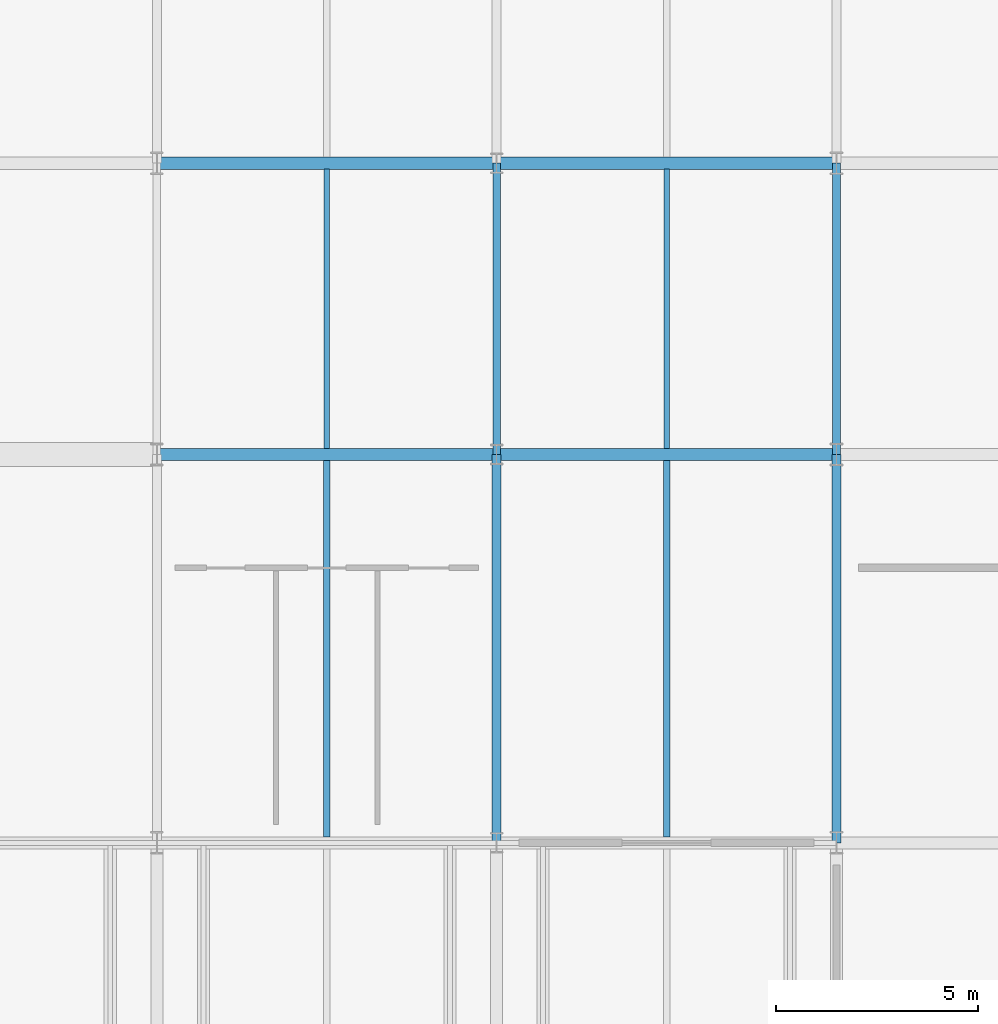
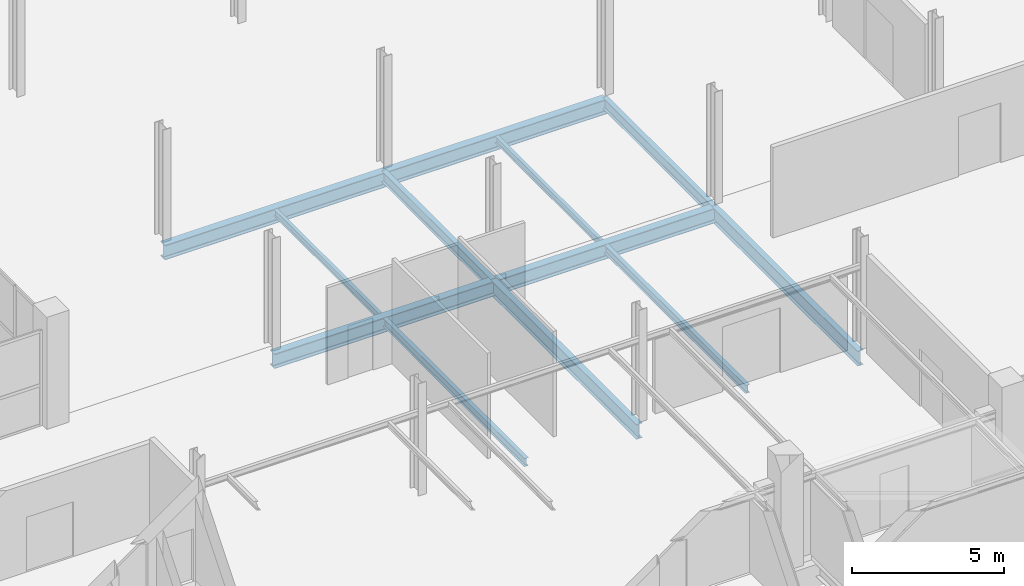
# One storey, part 28 of 109: 12 beams.
"""IFC4 building model written with IfcOpenShell, lengths in metres."""

from ifc_helpers import new_model, si_unit, direction, frame, origin, origin_2d, place, context, subcontext, project, spatial, i_section, extrude, material, material_profile, profile_set, type_object, element, save


model = new_model("IFC4")

# Units and contexts
model_context = context("Model", 3, precision=1e-05, world=origin(), true_north=direction((0.0, 1.0)))
body_context = subcontext(model_context, "Body", "Model", "MODEL_VIEW")
ifc_project = project(units=[si_unit("LENGTHUNIT", "METRE"), si_unit("AREAUNIT", "SQUARE_METRE"), si_unit("VOLUMEUNIT", "CUBIC_METRE"), si_unit("PLANEANGLEUNIT", "RADIAN"), si_unit("MASSUNIT", "GRAM", prefix="KILO")], contexts=[model_context])

# Site, building, storey
site_placement = place(None, origin())
site = spatial("IfcSite", under=ifc_project, at=site_placement, CompositionType="ELEMENT")
building_placement = place(site_placement, origin())
building = spatial("IfcBuilding", under=site, at=building_placement, Name="Veltarok Museum of Natural Sciences", CompositionType="ELEMENT")
storey_placement = place(building_placement, frame((0.0, 0.0, 17.39990234375)))
storey = spatial("IfcBuildingStorey", under=building, at=storey_placement, Name="L03", CompositionType="ELEMENT", Elevation=17.39990234375)

# Beams
ifc_material = material(Name="Steel S355J2", Category="steel")
ifc_material_profile_1 = material_profile(ifc_material, i_section(OverallWidth=0.300048828125, OverallDepth=0.590087890625, WebThickness=0.012939453125, FlangeThickness=0.02490234375, FilletRadius=0.027099609375, at=origin_2d()), Name="HEA 600")
ifc_profile_set_1 = profile_set([ifc_material_profile_1], Name="Steel S355J2")
beam_type_1 = type_object("IfcBeamType", Name="Heavy Archive Girder HEA 600", PredefinedType="BEAM", material=ifc_profile_set_1)
beam_1_placement = place(storey_placement, frame((48.39990234375, 19.199951171875, -0.544921875), z_axis=(1.0, 0.0, 0.0), x_axis=(0.0, 1.0, 0.0)))
element("IfcBeam", 1, at=beam_1_placement, inside=storey, type_object=beam_type_1, Name="Beam BM-G07 L03 6-7/C", PredefinedType="BEAM", context=body_context, shape_type="SweptSolid", body=[
    extrude(i_section(OverallWidth=0.300048828125, OverallDepth=0.590087890625, WebThickness=0.012939453125, FlangeThickness=0.02490234375, FilletRadius=0.027099609375, at=origin_2d()), origin(), (0.0, 0.0, 1.0), 8.400146484375),
])
beam_2_placement = place(storey_placement, frame((56.800048828125, 19.199951171875, -0.544921875), z_axis=(1.0, 0.0, 0.0), x_axis=(0.0, 1.0, 0.0)))
element("IfcBeam", 2, at=beam_2_placement, inside=storey, type_object=beam_type_1, Name="Beam BM-G07 L03 7-8/C", PredefinedType="BEAM", context=body_context, shape_type="SweptSolid", body=[
    extrude(i_section(OverallWidth=0.300048828125, OverallDepth=0.590087890625, WebThickness=0.012939453125, FlangeThickness=0.02490234375, FilletRadius=0.027099609375, at=origin_2d()), origin(), (0.0, 0.0, 1.0), 8.39990234375),
])
beam_3_placement = place(storey_placement, frame((48.39990234375, 26.39990234375, -0.544921875), z_axis=(1.0, 0.0, 0.0), x_axis=(0.0, 1.0, 0.0)))
element("IfcBeam", 3, at=beam_3_placement, inside=storey, type_object=beam_type_1, Name="Beam BM-G07 L03 6-7/D", PredefinedType="BEAM", context=body_context, shape_type="SweptSolid", body=[
    extrude(i_section(OverallWidth=0.300048828125, OverallDepth=0.590087890625, WebThickness=0.012939453125, FlangeThickness=0.02490234375, FilletRadius=0.027099609375, at=origin_2d()), origin(), (0.0, 0.0, 1.0), 8.400146484375),
])
beam_4_placement = place(storey_placement, frame((56.800048828125, 26.39990234375, -0.544921875), z_axis=(1.0, 0.0, 0.0), x_axis=(0.0, 1.0, 0.0)))
element("IfcBeam", 4, at=beam_4_placement, inside=storey, type_object=beam_type_1, Name="Beam BM-G07 L03 7-8/D", PredefinedType="BEAM", context=body_context, shape_type="SweptSolid", body=[
    extrude(i_section(OverallWidth=0.300048828125, OverallDepth=0.590087890625, WebThickness=0.012939453125, FlangeThickness=0.02490234375, FilletRadius=0.027099609375, at=origin_2d()), origin(), (0.0, 0.0, 1.0), 8.39990234375),
])
ifc_material_profile_2 = material_profile(ifc_material, i_section(OverallWidth=0.18994140625, OverallDepth=0.449951171875, WebThickness=0.009521484375, FlangeThickness=0.0146484375, FilletRadius=0.02099609375, at=origin_2d()), Name="IPE 450")
ifc_profile_set_2 = profile_set([ifc_material_profile_2], Name="Steel S355J2")
beam_type_2 = type_object("IfcBeamType", Name="Laboratory Floor Girder IPE 450", PredefinedType="BEAM", material=ifc_profile_set_2)
for number, where, z_axis, x_axis, name in (
    (5, (56.800048828125, 19.199951171875, -0.474853515625), (0.0, 1.0, 0.0), (-1.0, 0.0, 0.0), "Beam BM-G05 L03 7/C-D"),
    (6, (65.199951171875, 19.199951171875, -0.474853515625), (0.0, 1.0, 0.0), (-1.0, 0.0, 0.0), "Beam BM-G05 L03 8/C-D"),
):
    element("IfcBeam", number, at=place(storey_placement, frame(where, z_axis=z_axis, x_axis=x_axis)), inside=storey, type_object=beam_type_2, Name=name, PredefinedType="BEAM", context=body_context, shape_type="SweptSolid", body=[
        extrude(i_section(OverallWidth=0.18994140625, OverallDepth=0.449951171875, WebThickness=0.009521484375, FlangeThickness=0.0146484375, FilletRadius=0.02099609375, at=origin_2d()), origin(), (0.0, 0.0, 1.0), 7.199951171875),
    ])
ifc_material_profile_3 = material_profile(ifc_material, i_section(OverallWidth=0.159912109375, OverallDepth=0.330078125, WebThickness=0.007568359375, FlangeThickness=0.011474609375, FilletRadius=0.01806640625, at=origin_2d()), Name="IPE 330")
ifc_profile_set_3 = profile_set([ifc_material_profile_3], Name="Steel S355J2")
beam_type_3 = type_object("IfcBeamType", Name="Medium-Bay Composite Joist IPE 330", PredefinedType="JOIST", material=ifc_profile_set_3)
for number, where, z_axis, x_axis, name in (
    (7, (52.60009765625, 9.748046875, -0.414794921875), (0.0, 1.0, 0.0), (-1.0, 0.0, 0.0), "Secondary Joist BM-J02 L03 6-7/B-C.1"),
    (8, (61.0, 9.748046875, -0.414794921875), (0.0, 1.0, 0.0), (-1.0, 0.0, 0.0), "Secondary Joist BM-J02 L03 7-8/B-C.1"),
):
    element("IfcBeam", number, at=place(storey_placement, frame(where, z_axis=z_axis, x_axis=x_axis)), inside=storey, type_object=beam_type_3, Name=name, PredefinedType="JOIST", context=body_context, shape_type="SweptSolid", body=[
        extrude(i_section(OverallWidth=0.159912109375, OverallDepth=0.330078125, WebThickness=0.007568359375, FlangeThickness=0.011474609375, FilletRadius=0.01806640625, at=origin_2d()), origin(), (0.0, 0.0, 1.0), 9.303955078125),
    ])
ifc_material_profile_4 = material_profile(ifc_material, i_section(OverallWidth=0.219970703125, OverallDepth=0.60009765625, WebThickness=0.011962890625, FlangeThickness=0.01904296875, FilletRadius=0.02392578125, at=origin_2d()), Name="IPE 600")
ifc_profile_set_4 = profile_set([ifc_material_profile_4], Name="Steel S355J2")
beam_type_4 = type_object("IfcBeamType", Name="Primary Museum Girder IPE 600", PredefinedType="BEAM", material=ifc_profile_set_4)
for number, where, z_axis, x_axis, name in (
    (9, (56.800048828125, 9.60009765625, -0.5498046875), (0.0, 1.0, 0.0), (-1.0, 0.0, 0.0), "Beam BM-G02 L03 7/B-C"),
    (10, (65.199951171875, 9.60009765625, -0.5498046875), (0.0, 1.0, 0.0), (-1.0, 0.0, 0.0), "Beam BM-G02 L03 8/B-C"),
):
    element("IfcBeam", number, at=place(storey_placement, frame(where, z_axis=z_axis, x_axis=x_axis)), inside=storey, type_object=beam_type_4, Name=name, PredefinedType="BEAM", context=body_context, shape_type="SweptSolid", body=[
        extrude(i_section(OverallWidth=0.219970703125, OverallDepth=0.60009765625, WebThickness=0.011962890625, FlangeThickness=0.01904296875, FilletRadius=0.02392578125, at=origin_2d()), origin(), (0.0, 0.0, 1.0), 9.599853515625),
    ])
ifc_material_profile_5 = material_profile(ifc_material, i_section(OverallWidth=0.135009765625, OverallDepth=0.27001953125, WebThickness=0.006591796875, FlangeThickness=0.01025390625, FilletRadius=0.014892578125, at=origin_2d()), Name="IPE 270")
ifc_profile_set_5 = profile_set([ifc_material_profile_5], Name="Steel S355J2")
beam_type_5 = type_object("IfcBeamType", Name="Short-Bay Composite Joist IPE 270", PredefinedType="JOIST", material=ifc_profile_set_5)
for number, where, z_axis, x_axis, name in (
    (11, (52.60009765625, 19.347900390625, -0.385009765625), (0.0, 1.0, 0.0), (-1.0, 0.0, 0.0), "Secondary Joist BM-J04 L03 6-7/C-D.1"),
    (12, (61.0, 19.347900390625, -0.385009765625), (0.0, 1.0, 0.0), (-1.0, 0.0, 0.0), "Secondary Joist BM-J04 L03 7-8/C-D.1"),
):
    element("IfcBeam", number, at=place(storey_placement, frame(where, z_axis=z_axis, x_axis=x_axis)), inside=storey, type_object=beam_type_5, Name=name, PredefinedType="JOIST", context=body_context, shape_type="SweptSolid", body=[
        extrude(i_section(OverallWidth=0.135009765625, OverallDepth=0.27001953125, WebThickness=0.006591796875, FlangeThickness=0.01025390625, FilletRadius=0.014892578125, at=origin_2d()), origin(), (0.0, 0.0, 1.0), 6.904052734375),
    ])

save(model, "model.ifc")
